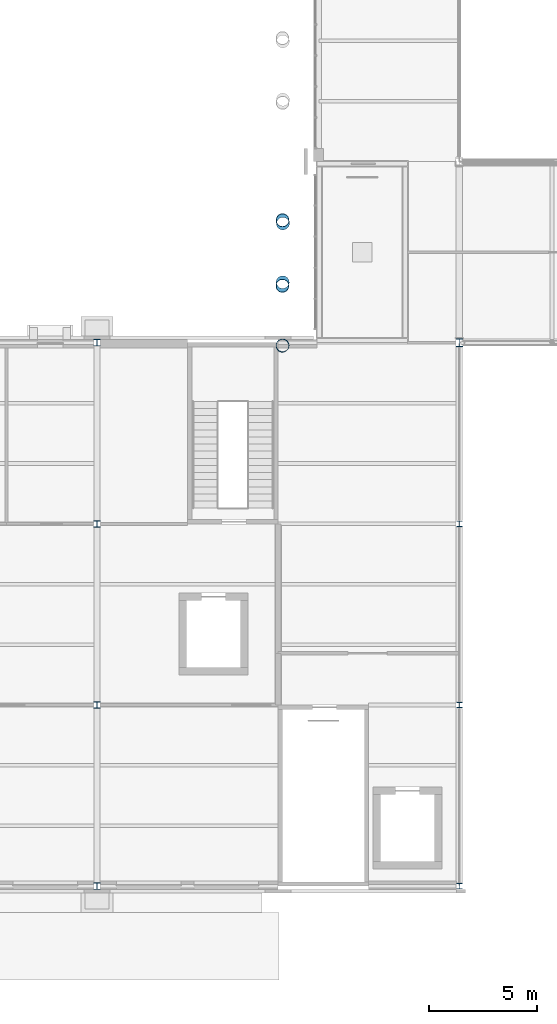
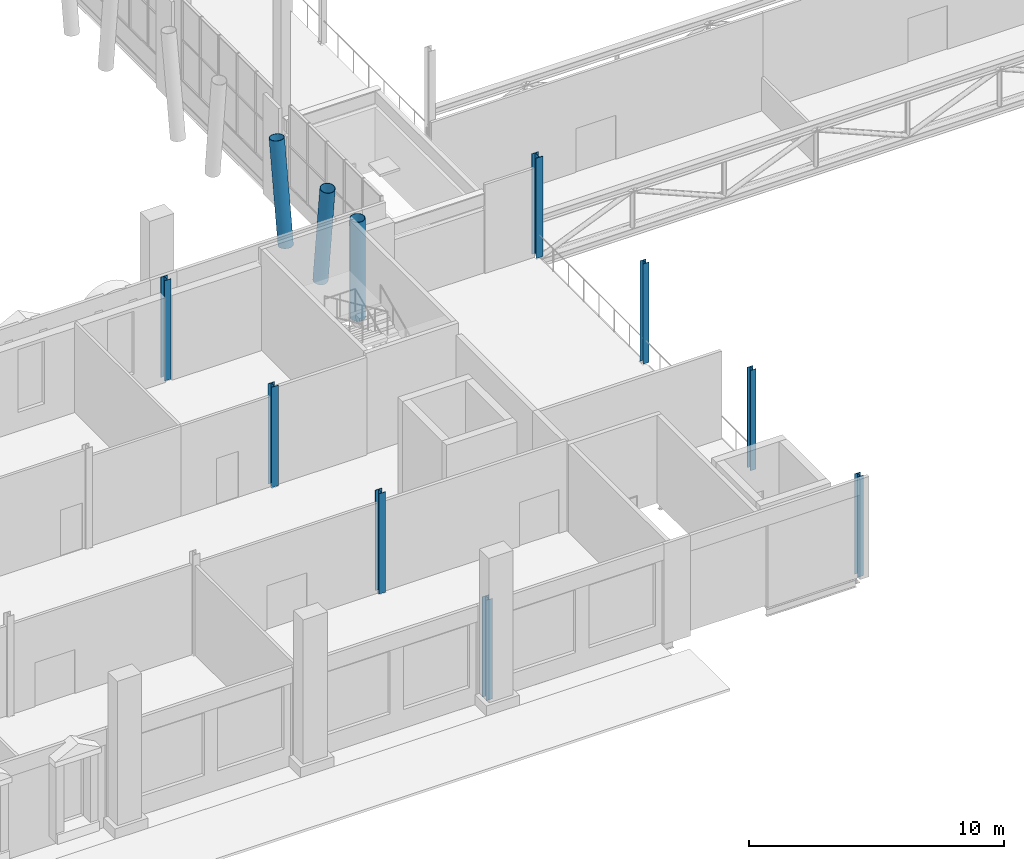
# One storey, part 2 of 76: 11 columns.
"""IFC4 building model written with IfcOpenShell, lengths in metres."""

from ifc_helpers import new_model, si_unit, direction, frame, origin, origin_2d, place, context, subcontext, project, spatial, hollow_circle, i_section, extrude, material, material_profile, profile_set, type_object, element, save


model = new_model("IFC4")

# Units and contexts
model_context = context("Model", 3, precision=1e-05, world=origin(), true_north=direction((0.0, 1.0)))
body_context = subcontext(model_context, "Body", "Model", "MODEL_VIEW")
ifc_project = project(units=[si_unit("LENGTHUNIT", "METRE"), si_unit("AREAUNIT", "SQUARE_METRE"), si_unit("VOLUMEUNIT", "CUBIC_METRE"), si_unit("PLANEANGLEUNIT", "RADIAN"), si_unit("MASSUNIT", "GRAM", prefix="KILO")], contexts=[model_context])

# Site, building, storey
site_placement = place(None, origin())
site = spatial("IfcSite", under=ifc_project, at=site_placement, CompositionType="ELEMENT")
building_placement = place(site_placement, origin())
building = spatial("IfcBuilding", under=site, at=building_placement, Name="Sava Quay Ferry Terminal", CompositionType="ELEMENT")
storey_placement = place(building_placement, frame((0.0, 0.0, 6.0)))
storey = spatial("IfcBuildingStorey", under=building, at=storey_placement, Name="L01", CompositionType="ELEMENT", Elevation=6.0)

# Columns
ifc_material_1 = material(Name="Steel S355", Category="steel")
ifc_material_profile_1 = material_profile(ifc_material_1, i_section(OverallWidth=0.260009765625, OverallDepth=0.260009765625, WebThickness=0.010009765625, FlangeThickness=0.017578125, at=origin_2d()), Name="HE 260 B")
ifc_profile_set_1 = profile_set([ifc_material_profile_1], Name="Steel S355")
column_type_1 = type_object("IfcColumnType", Name="Column HE 260 B", PredefinedType="COLUMN", material=ifc_profile_set_1)
for number, where, z_axis, x_axis, name in (
    (1, (50.39990234375, 25.199951171875, 0.0), (0.0, 0.0, 1.0), (1.0, 0.0, 0.0), "Column L01 50.4/25.2"),
    (2, (50.39990234375, 33.60009765625, 0.0), (0.0, 0.0, 1.0), (1.0, 0.0, 0.0), "Column L01 50.4/33.6"),
    (3, (50.39990234375, 42.0, 0.0), (0.0, 0.0, 1.0), (1.0, 0.0, 0.0), "Column L01 50.4/42"),
):
    element("IfcColumn", number, at=place(storey_placement, frame(where, z_axis=z_axis, x_axis=x_axis)), inside=storey, type_object=column_type_1, Name=name, PredefinedType="COLUMN", context=body_context, shape_type="SweptSolid", body=[
        extrude(i_section(OverallWidth=0.260009765625, OverallDepth=0.260009765625, WebThickness=0.010009765625, FlangeThickness=0.017578125, at=origin_2d()), origin(), (0.0, 0.0, 1.0), 4.800048828125),
    ])
ifc_material_2 = material(Name="Steel S355", Category="steel")
ifc_material_profile_2 = material_profile(ifc_material_2, i_section(OverallWidth=0.300048828125, OverallDepth=0.300048828125, WebThickness=0.010986328125, FlangeThickness=0.01904296875, at=origin_2d()), Name="HE 300 B")
ifc_profile_set_2 = profile_set([ifc_material_profile_2], Name="Steel S355")
column_type_2 = type_object("IfcColumnType", Name="Column HE 300 B", PredefinedType="COLUMN", material=ifc_profile_set_2)
for number, where, z_axis, x_axis, name in (
    (4, (33.60009765625, 25.199951171875, 0.0), (0.0, 0.0, 1.0), (1.0, 0.0, 0.0), "Column L01 33.6/25.2"),
    (5, (33.60009765625, 33.60009765625, 0.0), (0.0, 0.0, 1.0), (1.0, 0.0, 0.0), "Column L01 33.6/33.6"),
    (6, (33.60009765625, 42.0, 0.0), (0.0, 0.0, 1.0), (1.0, 0.0, 0.0), "Column L01 33.6/42"),
    (7, (33.60009765625, 50.39990234375, 0.0), (0.0, 0.0, 1.0), (1.0, 0.0, 0.0), "Column L01 33.6/50.4"),
):
    element("IfcColumn", number, at=place(storey_placement, frame(where, z_axis=z_axis, x_axis=x_axis)), inside=storey, type_object=column_type_2, Name=name, PredefinedType="COLUMN", context=body_context, shape_type="SweptSolid", body=[
        extrude(i_section(OverallWidth=0.300048828125, OverallDepth=0.300048828125, WebThickness=0.010986328125, FlangeThickness=0.01904296875, at=origin_2d()), origin(), (0.0, 0.0, 1.0), 4.800048828125),
    ])
ifc_material_3 = material(Name="Steel S355", Category="steel")
ifc_material_profile_3 = material_profile(ifc_material_3, i_section(OverallWidth=0.300048828125, OverallDepth=0.360107421875, WebThickness=0.012451171875, FlangeThickness=0.0224609375, at=origin_2d()), Name="HE 360 B")
ifc_profile_set_3 = profile_set([ifc_material_profile_3], Name="Steel S355")
column_type_3 = type_object("IfcColumnType", Name="Column HE 360 B", PredefinedType="COLUMN", material=ifc_profile_set_3)
column_1_placement = place(storey_placement, frame((50.39990234375, 50.39990234375, 0.0), z_axis=(0.0, 0.0, 1.0), x_axis=(1.0, 0.0, 0.0)))
element("IfcColumn", 8, at=column_1_placement, inside=storey, type_object=column_type_3, Name="Column L01 50.4/50.4", PredefinedType="COLUMN", context=body_context, shape_type="SweptSolid", body=[
    extrude(i_section(OverallWidth=0.300048828125, OverallDepth=0.360107421875, WebThickness=0.012451171875, FlangeThickness=0.0224609375, at=origin_2d()), origin(), (0.0, 0.0, 1.0), 4.800048828125),
])
ifc_material_4 = material(Name="Steel S355", Category="steel")
ifc_material_profile_4 = material_profile(ifc_material_4, hollow_circle(Radius=0.304931640625, WallThickness=0.02001953125, at=origin_2d()), Name="CHS 610 x 20.0")
ifc_profile_set_4 = profile_set([ifc_material_profile_4], Name="Steel S355")
column_type_4 = type_object("IfcColumnType", Name="V column CHS 610x20", PredefinedType="COLUMN", material=ifc_profile_set_4)
column_2_placement = place(storey_placement, frame((42.2109375, 50.276123046875, 0.0), z_axis=(-0.012102581287, -0.016831741202, 0.999785086913), x_axis=(0.811906374981, -0.583787665394, 0.0)))
element("IfcColumn", 9, at=column_2_placement, inside=storey, type_object=column_type_4, Name="Departure hall V column D-VL0a part 2", PredefinedType="COLUMN", context=body_context, shape_type="SweptSolid", body=[
    extrude(hollow_circle(Radius=0.304931640625, WallThickness=0.02001953125, at=origin_2d()), origin(), (0.0, 0.0, 1.0), 4.801025390625),
])
column_3_placement = place(storey_placement, frame((42.2109375, 53.1953125, 0.0), z_axis=(-0.011992830994, -0.135398054119, 0.990718698191), x_axis=(0.996100200333, -0.088229195266, 0.0)))
element("IfcColumn", 10, at=column_3_placement, inside=storey, type_object=column_type_4, Name="Departure hall V column D-VL0b part 2", PredefinedType="COLUMN", context=body_context, shape_type="SweptSolid", body=[
    extrude(hollow_circle(Radius=0.304931640625, WallThickness=0.02001953125, at=origin_2d()), origin(), (0.0, 0.0, 1.0), 4.844970703125),
])
column_4_placement = place(storey_placement, frame((42.21875, 55.93359375, 0.0), z_axis=(-0.010998920165, 0.125983044275, 0.9919714191), x_axis=(-0.996210587756, -0.086973931971, 0.0)))
element("IfcColumn", 11, at=column_4_placement, inside=storey, type_object=column_type_4, Name="Departure hall V column D-VL1a part 2", PredefinedType="COLUMN", context=body_context, shape_type="SweptSolid", body=[
    extrude(hollow_circle(Radius=0.304931640625, WallThickness=0.02001953125, at=origin_2d()), origin(), (0.0, 0.0, 1.0), 4.8388671875),
])

save(model, "model.ifc")
